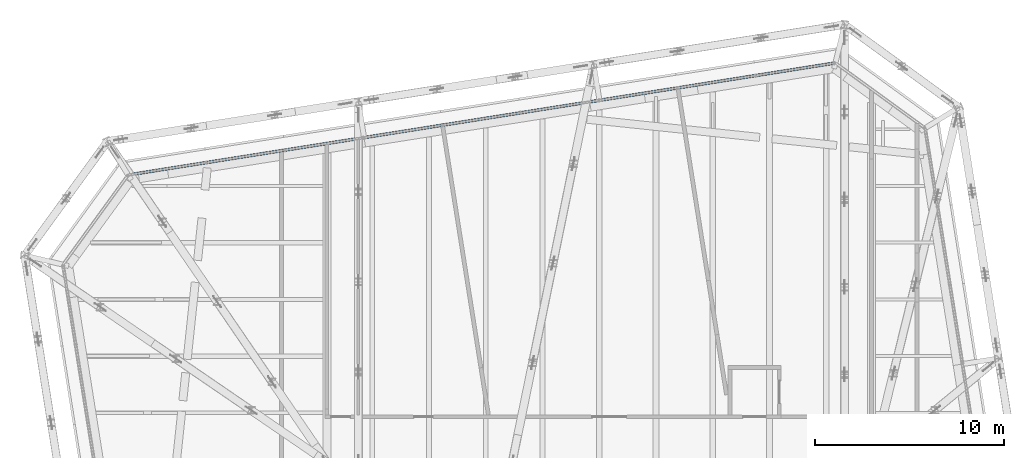
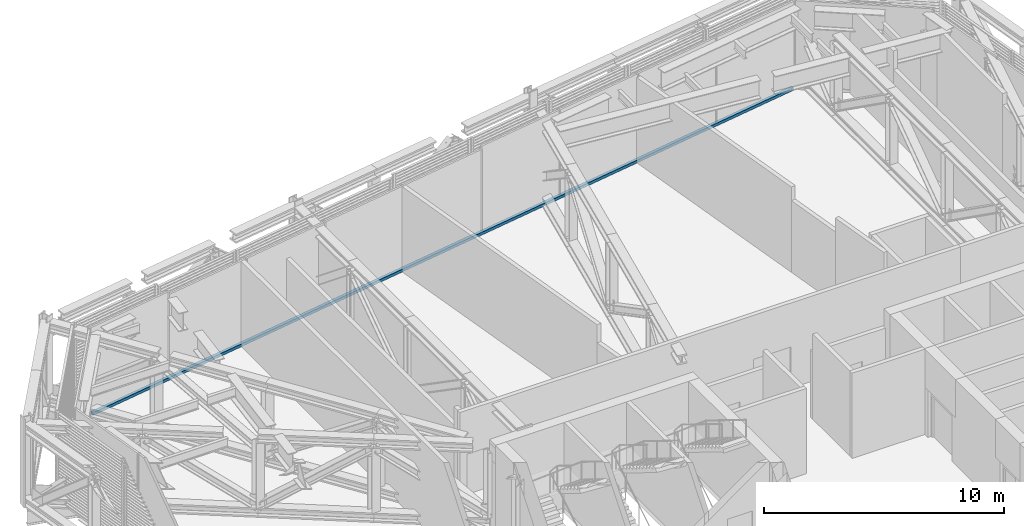
# One storey, part 16 of 32: 1 member, 1 element without a shape of its own.
"""IFC4 building model written with IfcOpenShell, lengths in metres."""

from ifc_helpers import new_model, si_unit, direction, frame, origin, origin_2d, place, context, subcontext, project, spatial, rectangle, extrude, material, layer, layer_set, material_profile, profile_set, type_object, element, aggregate, save


model = new_model("IFC4")

# Units and contexts
model_context = context("Model", 3, precision=1e-05, world=origin(), true_north=direction((0.0, 1.0)))
body_context = subcontext(model_context, "Body", "Model", "MODEL_VIEW")
ifc_project = project(units=[si_unit("LENGTHUNIT", "METRE"), si_unit("AREAUNIT", "SQUARE_METRE"), si_unit("VOLUMEUNIT", "CUBIC_METRE"), si_unit("PLANEANGLEUNIT", "RADIAN"), si_unit("MASSUNIT", "GRAM", prefix="KILO")], contexts=[model_context])

# Site, building, storey
site_placement = place(None, origin())
site = spatial("IfcSite", under=ifc_project, at=site_placement, CompositionType="ELEMENT")
building_placement = place(site_placement, origin())
building = spatial("IfcBuilding", under=site, at=building_placement, Name="Millrace Tower", CompositionType="ELEMENT")
storey_placement = place(building_placement, frame((0.0, 0.0, 266.89990234375)))
storey = spatial("IfcBuildingStorey", under=building, at=storey_placement, Name="L61", CompositionType="ELEMENT", Elevation=266.89990234375)

# Curtain wall, member
ifc_material_1 = material(Name="Aluminium and glass", Category="aluminium")
ifc_layer = layer(ifc_material_1, 0.14990234375)
ifc_layer_set = layer_set([ifc_layer], Name="Aluminium and glass")
curtain_wall_type = type_object("IfcCurtainWallType", Name="CW-5 truss and plant storey louvred infill", PredefinedType="NOTDEFINED", material=ifc_layer_set)
curtain_wall_placement = place(storey_placement, origin())
curtain_wall = element("IfcCurtainWall", 1, at=curtain_wall_placement, inside=storey, type_object=curtain_wall_type, Name="Curtain wall D-F06 L61", PredefinedType="NOTDEFINED")
ifc_material_2 = material(Name="Aluminium", Category="aluminium")
ifc_material_profile = material_profile(ifc_material_2, rectangle(XDim=0.14990234375, YDim=0.139892578125, at=origin_2d()))
ifc_profile_set = profile_set([ifc_material_profile], Name="Aluminium")
member_type = type_object("IfcMemberType", Name="CW-5 truss and plant storey louvred infill transom", PredefinedType="USERDEFINED", material=ifc_profile_set)
member_placement = place(storey_placement, frame((12.35888671875, 30.48193359375, 0.070068359375), z_axis=(-0.987687829698, -0.156437690685, 0.0), x_axis=(0.156437690685, -0.987687829698, 0.0)))
member = element("IfcMember", 2, at=member_placement, type_object=member_type, Name="CW5 transom D-F06.1", ObjectType="TRANSOM", PredefinedType="USERDEFINED", context=body_context, shape_type="SweptSolid", body=[
    extrude(rectangle(XDim=0.14990234375, YDim=0.139892578125, at=origin_2d()), origin(), (0.0, 0.0, 1.0), 37.60009765625),
])
aggregate(curtain_wall, [member])

save(model, "model.ifc")
